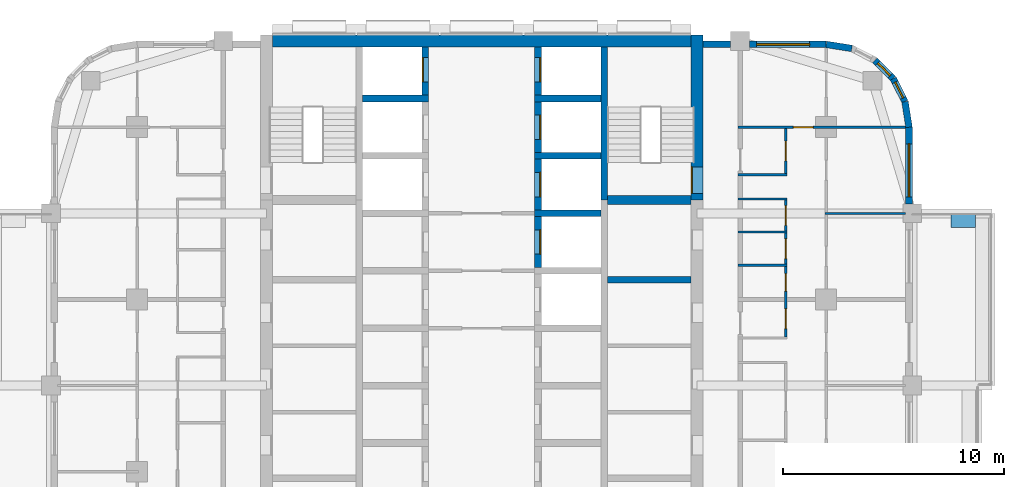
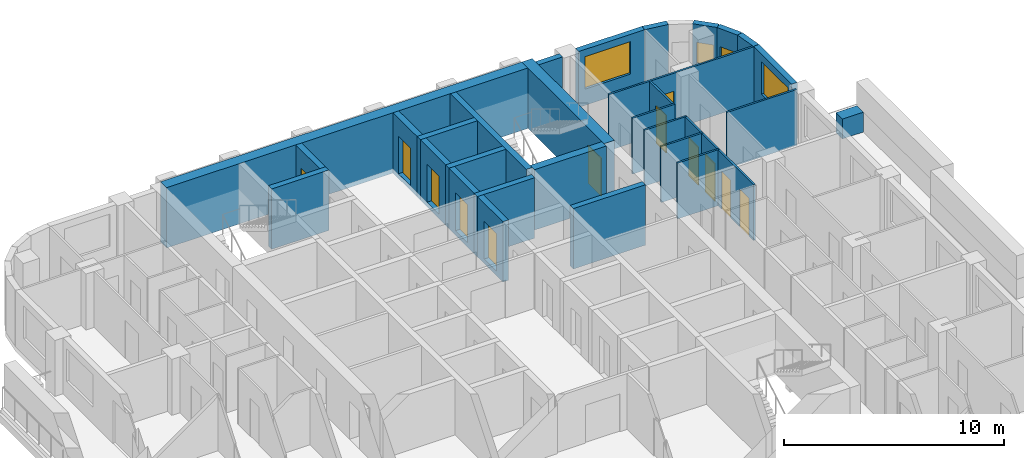
# One storey, part 9 of 14: 30 walls, 12 doors, 4 windows, 16 openings.
"""IFC4 building model written with IfcOpenShell, lengths in metres."""

from ifc_helpers import new_model, si_unit, direction, frame, frame_2d, origin, place, context, subcontext, project, spatial, rectangle, extrude, material, layer, layer_set, type_object, element, fill, save


model = new_model("IFC4")

# Units and contexts
model_context = context("Model", 3, precision=1e-05, world=origin(), true_north=direction((0.0, 1.0)))
body_context = subcontext(model_context, "Body", "Model", "MODEL_VIEW")
ifc_project = project(units=[si_unit("LENGTHUNIT", "METRE"), si_unit("AREAUNIT", "SQUARE_METRE"), si_unit("VOLUMEUNIT", "CUBIC_METRE"), si_unit("PLANEANGLEUNIT", "RADIAN"), si_unit("MASSUNIT", "GRAM", prefix="KILO")], contexts=[model_context])

# Site, building, storey
site_placement = place(None, origin())
site = spatial("IfcSite", under=ifc_project, at=site_placement, CompositionType="ELEMENT")
building_placement = place(site_placement, origin())
building = spatial("IfcBuilding", under=site, at=building_placement, Name="Ludao Terraces", CompositionType="ELEMENT")
storey_placement = place(building_placement, frame((0.0, 0.0, 140.699951171875)))
storey = spatial("IfcBuildingStorey", under=building, at=storey_placement, Name="L38", CompositionType="ELEMENT", Elevation=140.699951171875)

# Wall, opening, door
ifc_material_1 = material(Name="Concrete C60", Category="concrete")
ifc_layer_1 = layer(ifc_material_1, 0.550048828125)
ifc_layer_set_1 = layer_set([ifc_layer_1], Name="Core wall 550 C60")
wall_type_1 = type_object("IfcWallType", Name="Core wall 550 C60", PredefinedType="SOLIDWALL", material=ifc_layer_set_1)
wall_1_placement = place(storey_placement, frame((94.75, 77.300048828125, -0.25), z_axis=(0.0, 0.0, 1.0), x_axis=(0.0, 1.0, 0.0)))
wall_1 = element("IfcWall", 1, at=wall_1_placement, inside=storey, type_object=wall_type_1, Name="Core wall L38 outer-E-S2", PredefinedType="SOLIDWALL", context=body_context, shape_type="SweptSolid", body=[
    extrude(rectangle(XDim=7.474853515625, YDim=0.550048828125, at=frame_2d((3.7373046875, 0.0))), origin(), (0.0, 0.0, 1.0), 3.35009765625),
])
opening_1_placement = place(wall_1_placement, frame((0.300048828125, 0.0, 0.25)))
opening_1 = element("IfcOpeningElement", 2, at=opening_1_placement, cuts=wall_1, Name="Opening R13-082", PredefinedType="OPENING", context=body_context, shape_type="SweptSolid", body=[
    extrude(rectangle(XDim=1.199951171875, YDim=2.10009765625, at=frame_2d((0.60009765625, 1.050048828125))), frame((0.0, 0.28515625, 0.0), z_axis=(0.0, -1.0, 0.0), x_axis=(1.0, 0.0, 0.0)), (0.0, 0.0, 1.0), 0.570068359375),
])
ifc_material_2 = material(Name="Steel Q235", Category="steel")
door_type_1 = type_object("IfcDoorType", Name="INT Stair door 1200", OperationType="DOUBLE_DOOR_SINGLE_SWING", PredefinedType="DOOR", material=ifc_material_2)
door_1_placement = place(opening_1_placement, origin())
door_1 = element("IfcDoor", 3, at=door_1_placement, inside=storey, type_object=door_type_1, Name="DOOR 082", OperationType="DOUBLE_DOOR_SINGLE_SWING", OverallHeight=2.10009765625, OverallWidth=1.199951171875, PredefinedType="DOOR", context=body_context, shape_type="SweptSolid", body=[
    extrude(rectangle(XDim=1.199951171875, YDim=2.10009765625, at=frame_2d((0.60009765625, 1.050048828125))), frame((0.0, 0.26025390625, 0.0), z_axis=(0.0, -1.0, 0.0), x_axis=(1.0, 0.0, 0.0)), (0.0, 0.0, 1.0), 0.050048828125),
])
fill(opening_1, door_1)

# Walls
wall_2_placement = place(storey_placement, frame((75.52490234375, 84.5, -0.25), z_axis=(0.0, 0.0, 1.0), x_axis=(1.0, 0.0, 0.0)))
element("IfcWall", 4, at=wall_2_placement, inside=storey, type_object=wall_type_1, Name="Core wall L38 outer-N", PredefinedType="SOLIDWALL", context=body_context, shape_type="SweptSolid", body=[
    extrude(rectangle(XDim=18.9501953125, YDim=0.550048828125, at=frame_2d((9.47509765625, 0.0))), origin(), (0.0, 0.0, 1.0), 3.35009765625),
])
ifc_material_3 = material(Name="Concrete C40", Category="concrete")
ifc_layer_2 = layer(ifc_material_3, 0.60009765625)
ifc_layer_set_2 = layer_set([ifc_layer_2], Name="ENV Planter trough 600")
wall_type_2 = type_object("IfcWallType", Name="ENV Planter trough 600", PredefinedType="USERDEFINED", material=ifc_layer_set_2)
wall_3_placement = place(storey_placement, frame((107.35009765625, 76.35009765625, 0.0), z_axis=(0.0, 0.0, 1.0), x_axis=(-1.0, 0.0, 0.0)))
element("IfcWall", 5, at=wall_3_placement, inside=storey, type_object=wall_type_2, Name="PL-L38-E3-SB", ObjectType="PLANTER", PredefinedType="USERDEFINED", context=body_context, shape_type="SweptSolid", body=[
    extrude(rectangle(XDim=1.10009765625, YDim=0.60009765625, at=frame_2d((0.550048828125, 0.0))), origin(), (0.0, 0.0, 1.0), 1.10009765625),
])

# Wall, opening, window
ifc_material_4 = material(Name="Granite cladding", Category="masonry")
ifc_layer_3 = layer(ifc_material_4, 0.0400390625, Category="stone")
ifc_material_5 = material(Name="Mineral wool")
ifc_layer_4 = layer(ifc_material_5, 0.06005859375)
ifc_layer_5 = layer(ifc_material_3, 0.199951171875, Category="concrete")
ifc_layer_set_3 = layer_set([ifc_layer_3, ifc_layer_4, ifc_layer_5], Name="ENV Stone-clad wall 300")
wall_type_3 = type_object("IfcWallType", Name="ENV Stone-clad wall 300", PredefinedType="SOLIDWALL", material=ifc_layer_set_3)
wall_4_placement = place(storey_placement, frame((104.35009765625, 77.125, 0.0), z_axis=(0.0, 0.0, 1.0), x_axis=(0.0, 1.0, 0.0)))
wall_4 = element("IfcWall", 6, at=wall_4_placement, inside=storey, type_object=wall_type_3, Name="EW-L38-E5", PredefinedType="SOLIDWALL", context=body_context, shape_type="SweptSolid", body=[
    extrude(rectangle(XDim=3.47509765625, YDim=0.300048828125, at=frame_2d((1.737548828125, 0.0))), origin(), (0.0, 0.0, 1.0), 3.10009765625),
])
opening_2_placement = place(wall_4_placement, frame((0.324951171875, 0.0, 0.89990234375)))
opening_2 = element("IfcOpeningElement", 7, at=opening_2_placement, cuts=wall_4, Name="Opening W1", PredefinedType="OPENING", context=body_context, shape_type="SweptSolid", body=[
    extrude(rectangle(XDim=2.39990234375, YDim=1.800048828125, at=frame_2d((1.199951171875, 0.89990234375))), frame((0.0, 0.16015625, 0.0), z_axis=(0.0, -1.0, 0.0), x_axis=(1.0, 0.0, 0.0)), (0.0, 0.0, 1.0), 0.320068359375),
])
ifc_material_6 = material(Name="Clear glass in aluminium frame", Category="aluminium")
ifc_layer_6 = layer(ifc_material_6, 0.06005859375)
ifc_layer_set_4 = layer_set([ifc_layer_6], Name="ENV Window W1 2400x1800")
window_type_1 = type_object("IfcWindowType", Name="ENV Window W1 2400x1800", PartitioningType="DOUBLE_PANEL_VERTICAL", PredefinedType="WINDOW", material=ifc_layer_set_4)
window_1_placement = place(opening_2_placement, origin())
window_1 = element("IfcWindow", 8, at=window_1_placement, inside=storey, type_object=window_type_1, Name="W-L38-E5-1", OverallHeight=1.800048828125, OverallWidth=2.39990234375, PartitioningType="DOUBLE_PANEL_VERTICAL", PredefinedType="WINDOW", context=body_context, shape_type="SweptSolid", body=[
    extrude(rectangle(XDim=2.39990234375, YDim=1.800048828125, at=frame_2d((1.199951171875, 0.89990234375))), frame((0.0, 0.030029296875, 0.0), z_axis=(0.0, -1.0, 0.0), x_axis=(1.0, 0.0, 0.0)), (0.0, 0.0, 1.0), 0.06005859375),
])
fill(opening_2, window_1)

# Wall
wall_5_placement = place(storey_placement, frame((95.02490234375, 84.35009765625, 0.0), z_axis=(0.0, 0.0, 1.0), x_axis=(1.0, 0.0, 0.0)))
element("IfcWall", 9, at=wall_5_placement, inside=storey, type_object=wall_type_3, Name="EW-L38-N3", PredefinedType="SOLIDWALL", context=body_context, shape_type="SweptSolid", body=[
    extrude(rectangle(XDim=1.25, YDim=0.300048828125, at=frame_2d((0.625, 0.0))), origin(), (0.0, 0.0, 1.0), 3.10009765625),
])

# Wall, opening, window
wall_6_placement = place(storey_placement, frame((97.125, 84.35009765625, 0.0), z_axis=(0.0, 0.0, 1.0), x_axis=(1.0, 0.0, 0.0)))
wall_6 = element("IfcWall", 10, at=wall_6_placement, inside=storey, type_object=wall_type_3, Name="EW-L38-N4", PredefinedType="SOLIDWALL", context=body_context, shape_type="SweptSolid", body=[
    extrude(rectangle(XDim=3.47509765625, YDim=0.300048828125, at=frame_2d((1.737548828125, 0.0))), origin(), (0.0, 0.0, 1.0), 3.10009765625),
])
opening_3_placement = place(wall_6_placement, frame((0.324951171875, 0.0, 0.89990234375)))
opening_3 = element("IfcOpeningElement", 11, at=opening_3_placement, cuts=wall_6, Name="Opening W1", PredefinedType="OPENING", context=body_context, shape_type="SweptSolid", body=[
    extrude(rectangle(XDim=2.39990234375, YDim=1.800048828125, at=frame_2d((1.199951171875, 0.89990234375))), frame((0.0, 0.16015625, 0.0), z_axis=(0.0, -1.0, 0.0), x_axis=(1.0, 0.0, 0.0)), (0.0, 0.0, 1.0), 0.320068359375),
])
window_2_placement = place(opening_3_placement, origin())
window_2 = element("IfcWindow", 12, at=window_2_placement, inside=storey, type_object=window_type_1, Name="W-L38-N4-1", OverallHeight=1.800048828125, OverallWidth=2.39990234375, PartitioningType="DOUBLE_PANEL_VERTICAL", PredefinedType="WINDOW", context=body_context, shape_type="SweptSolid", body=[
    extrude(rectangle(XDim=2.39990234375, YDim=1.800048828125, at=frame_2d((1.199951171875, 0.89990234375))), frame((0.0, 0.030029296875, 0.0), z_axis=(0.0, -1.0, 0.0), x_axis=(1.0, 0.0, 0.0)), (0.0, 0.0, 1.0), 0.06005859375),
])
fill(opening_3, window_2)

# Wall
wall_7_placement = place(storey_placement, frame((104.35009765625, 80.60009765625, 0.0), z_axis=(0.0, 0.0, 1.0), x_axis=(-0.156496880861, 0.987678452879, 0.0)))
element("IfcWall", 13, at=wall_7_placement, inside=storey, type_object=wall_type_3, Name="EW-L38-NE1", PredefinedType="SOLIDWALL", context=body_context, shape_type="SweptSolid", body=[
    extrude(rectangle(XDim=1.173095703125, YDim=0.300048828125, at=frame_2d((0.58642578125, 0.0))), origin(), (0.0, 0.0, 1.0), 3.10009765625),
])

# Wall, opening, window
wall_8_placement = place(storey_placement, frame((104.16650390625, 81.7587890625, 0.0), z_axis=(0.0, 0.0, 1.0), x_axis=(-0.454025524128, 0.890988677504, 0.0)))
wall_8 = element("IfcWall", 14, at=wall_8_placement, inside=storey, type_object=wall_type_3, Name="EW-L38-NE2", PredefinedType="SOLIDWALL", context=body_context, shape_type="SweptSolid", body=[
    extrude(rectangle(XDim=1.17333984375, YDim=0.300048828125, at=frame_2d((0.586669921875, 0.0))), origin(), (0.0, 0.0, 1.0), 3.10009765625),
])
opening_4_placement = place(wall_8_placement, frame((0.1865234375, 0.0, 0.89990234375)))
opening_4 = element("IfcOpeningElement", 15, at=opening_4_placement, cuts=wall_8, Name="Opening W3", PredefinedType="OPENING", context=body_context, shape_type="SweptSolid", body=[
    extrude(rectangle(XDim=0.800048828125, YDim=1.199951171875, at=frame_2d((0.39990234375, 0.60009765625))), frame((0.0, 0.16015625, 0.0), z_axis=(0.0, -1.0, 0.0), x_axis=(1.0, 0.0, 0.0)), (0.0, 0.0, 1.0), 0.320068359375),
])
ifc_layer_7 = layer(ifc_material_6, 0.06005859375)
ifc_layer_set_5 = layer_set([ifc_layer_7], Name="ENV Window W3 800x1200")
window_type_2 = type_object("IfcWindowType", Name="ENV Window W3 800x1200", PartitioningType="SINGLE_PANEL", PredefinedType="WINDOW", material=ifc_layer_set_5)
window_3_placement = place(opening_4_placement, origin())
window_3 = element("IfcWindow", 16, at=window_3_placement, inside=storey, type_object=window_type_2, Name="W-L38-NE2", OverallHeight=1.199951171875, OverallWidth=0.800048828125, PartitioningType="SINGLE_PANEL", PredefinedType="WINDOW", context=body_context, shape_type="SweptSolid", body=[
    extrude(rectangle(XDim=0.800048828125, YDim=1.199951171875, at=frame_2d((0.39990234375, 0.60009765625))), frame((0.0, 0.030029296875, 0.0), z_axis=(0.0, -1.0, 0.0), x_axis=(1.0, 0.0, 0.0)), (0.0, 0.0, 1.0), 0.06005859375),
])
fill(opening_4, window_3)

wall_9_placement = place(storey_placement, frame((103.6337890625, 82.80419921875, 0.0), z_axis=(0.0, 0.0, 1.0), x_axis=(-0.707106781187, 0.707106781187, 0.0)))
wall_9 = element("IfcWall", 17, at=wall_9_placement, inside=storey, type_object=wall_type_3, Name="EW-L38-NE3", PredefinedType="SOLIDWALL", context=body_context, shape_type="SweptSolid", body=[
    extrude(rectangle(XDim=1.173095703125, YDim=0.300048828125, at=frame_2d((0.58642578125, 0.0))), origin(), (0.0, 0.0, 1.0), 3.10009765625),
])
opening_5_placement = place(wall_9_placement, frame((0.1865234375, 0.0, 0.89990234375)))
opening_5 = element("IfcOpeningElement", 18, at=opening_5_placement, cuts=wall_9, Name="Opening W3", PredefinedType="OPENING", context=body_context, shape_type="SweptSolid", body=[
    extrude(rectangle(XDim=0.800048828125, YDim=1.199951171875, at=frame_2d((0.39990234375, 0.60009765625))), frame((0.0, 0.16015625, 0.0), z_axis=(0.0, -1.0, 0.0), x_axis=(1.0, 0.0, 0.0)), (0.0, 0.0, 1.0), 0.320068359375),
])
window_4_placement = place(opening_5_placement, origin())
window_4 = element("IfcWindow", 19, at=window_4_placement, inside=storey, type_object=window_type_2, Name="W-L38-NE3", OverallHeight=1.199951171875, OverallWidth=0.800048828125, PartitioningType="SINGLE_PANEL", PredefinedType="WINDOW", context=body_context, shape_type="SweptSolid", body=[
    extrude(rectangle(XDim=0.800048828125, YDim=1.199951171875, at=frame_2d((0.39990234375, 0.60009765625))), frame((0.0, 0.030029296875, 0.0), z_axis=(0.0, -1.0, 0.0), x_axis=(1.0, 0.0, 0.0)), (0.0, 0.0, 1.0), 0.06005859375),
])
fill(opening_5, window_4)

# Walls
wall_10_placement = place(storey_placement, frame((101.7587890625, 84.16650390625, 0.0), z_axis=(0.0, 0.0, 1.0), x_axis=(-0.987678452879, 0.156496880861, 0.0)))
element("IfcWall", 20, at=wall_10_placement, inside=storey, type_object=wall_type_3, Name="EW-L38-NE5", PredefinedType="SOLIDWALL", context=body_context, shape_type="SweptSolid", body=[
    extrude(rectangle(XDim=1.173095703125, YDim=0.300048828125, at=frame_2d((0.58642578125, 0.0))), origin(), (0.0, 0.0, 1.0), 3.10009765625),
])
ifc_material_7 = material(Name="Gypsum plasterboard", Category="gypsum")
ifc_layer_8 = layer(ifc_material_7, 0.012451171875, Category="gypsum")
ifc_layer_9 = layer(ifc_material_5, 0.06005859375, Name="insulation")
ifc_layer_10 = layer(ifc_material_2, 0.014892578125, Name="stud")
ifc_layer_11 = layer(ifc_material_7, 0.012451171875, Category="gypsum")
ifc_layer_set_6 = layer_set([ifc_layer_8, ifc_layer_9, ifc_layer_10, ifc_layer_11], Name="INT Partition 100")
wall_type_4 = type_object("IfcWallType", Name="INT Partition 100", PredefinedType="PARTITIONING", material=ifc_layer_set_6)
for number, where, z_axis, x_axis, name in (
    (21, (96.60009765625, 74.35009765625, 0.0), (0.0, 0.0, 1.0), (1.0, 0.0, 0.0), "PW-L38-PW040"),
    (22, (96.60009765625, 75.85009765625, 0.0), (0.0, 0.0, 1.0), (1.0, 0.0, 0.0), "PW-L38-PW042"),
):
    element("IfcWall", number, at=place(storey_placement, frame(where, z_axis=z_axis, x_axis=x_axis)), inside=storey, type_object=wall_type_4, Name=name, PredefinedType="PARTITIONING", context=body_context, shape_type="SweptSolid", body=[
        extrude(rectangle(XDim=2.219970703125, YDim=0.10009765625, at=frame_2d((1.10986328125, 0.0))), origin(), (0.0, 0.0, 1.0), 3.10009765625),
    ])
wall_11_placement = place(storey_placement, frame((100.550048828125, 76.699951171875, 0.0), z_axis=(0.0, 0.0, 1.0), x_axis=(1.0, 0.0, 0.0)))
element("IfcWall", 23, at=wall_11_placement, inside=storey, type_object=wall_type_4, Name="PW-L38-PW044", PredefinedType="PARTITIONING", context=body_context, shape_type="SweptSolid", body=[
    extrude(rectangle(XDim=3.650146484375, YDim=0.10009765625, at=frame_2d((1.8251953125, 0.0))), origin(), (0.0, 0.0, 1.0), 3.10009765625),
])
for number, where, z_axis, x_axis, name in (
    (24, (96.60009765625, 77.35009765625, 0.0), (0.0, 0.0, 1.0), (1.0, 0.0, 0.0), "PW-L38-PW046"),
    (25, (96.60009765625, 78.449951171875, 0.0), (0.0, 0.0, 1.0), (1.0, 0.0, 0.0), "PW-L38-PW048"),
):
    element("IfcWall", number, at=place(storey_placement, frame(where, z_axis=z_axis, x_axis=x_axis)), inside=storey, type_object=wall_type_4, Name=name, PredefinedType="PARTITIONING", context=body_context, shape_type="SweptSolid", body=[
        extrude(rectangle(XDim=2.219970703125, YDim=0.10009765625, at=frame_2d((1.10986328125, 0.0))), origin(), (0.0, 0.0, 1.0), 3.10009765625),
    ])

# Wall, opening, door
wall_12_placement = place(storey_placement, frame((96.60009765625, 80.60009765625, 0.0), z_axis=(0.0, 0.0, 1.0), x_axis=(1.0, 0.0, 0.0)))
wall_12 = element("IfcWall", 26, at=wall_12_placement, inside=storey, type_object=wall_type_4, Name="PW-L38-PW050", PredefinedType="PARTITIONING", context=body_context, shape_type="SweptSolid", body=[
    extrude(rectangle(XDim=7.60009765625, YDim=0.10009765625, at=frame_2d((3.800048828125, 0.0))), origin(), (0.0, 0.0, 1.0), 3.10009765625),
])
opening_6_placement = place(wall_12_placement, frame((2.510009765625, 0.0, 0.0)))
opening_6 = element("IfcOpeningElement", 27, at=opening_6_placement, cuts=wall_12, Name="Opening R13-091", PredefinedType="OPENING", context=body_context, shape_type="SweptSolid", body=[
    extrude(rectangle(XDim=0.89990234375, YDim=2.10009765625, at=frame_2d((0.449951171875, 1.050048828125))), frame((0.0, 0.06005859375, 0.0), z_axis=(0.0, -1.0, 0.0), x_axis=(1.0, 0.0, 0.0)), (0.0, 0.0, 1.0), 0.1201171875),
])
ifc_material_8 = material(Name="Timber door leaf", Category="wood")
door_type_2 = type_object("IfcDoorType", Name="INT Room door 900", OperationType="SINGLE_SWING_LEFT", PredefinedType="DOOR", material=ifc_material_8)
door_2_placement = place(opening_6_placement, origin())
door_2 = element("IfcDoor", 28, at=door_2_placement, inside=storey, type_object=door_type_2, Name="DOOR 091", OperationType="SINGLE_SWING_RIGHT", OverallHeight=2.10009765625, OverallWidth=0.89990234375, PredefinedType="DOOR", context=body_context, shape_type="SweptSolid", body=[
    extrude(rectangle(XDim=0.89990234375, YDim=2.10009765625, at=frame_2d((0.449951171875, 1.050048828125))), frame((0.0, 0.02490234375, 0.0), z_axis=(0.0, -1.0, 0.0), x_axis=(1.0, 0.0, 0.0)), (0.0, 0.0, 1.0), 0.050048828125),
])
fill(opening_6, door_2)

# Wall, openings, doors
wall_13_placement = place(storey_placement, frame((98.77001953125, 71.10009765625, 0.0), z_axis=(0.0, 0.0, 1.0), x_axis=(0.0, 1.0, 0.0)))
wall_13 = element("IfcWall", 29, at=wall_13_placement, inside=storey, type_object=wall_type_4, Name="PW-L38-PW066", PredefinedType="PARTITIONING", context=body_context, shape_type="SweptSolid", body=[
    extrude(rectangle(XDim=6.199951171875, YDim=0.10009765625, at=frame_2d((3.10009765625, 0.0))), origin(), (0.0, 0.0, 1.0), 3.10009765625),
])
opening_7_placement = place(wall_13_placement, frame((0.375, 0.0, 0.0)))
opening_7 = element("IfcOpeningElement", 30, at=opening_7_placement, cuts=wall_13, Name="Opening R13-059", PredefinedType="OPENING", context=body_context, shape_type="SweptSolid", body=[
    extrude(rectangle(XDim=0.89990234375, YDim=2.10009765625, at=frame_2d((0.449951171875, 1.050048828125))), frame((0.0, 0.06005859375, 0.0), z_axis=(0.0, -1.0, 0.0), x_axis=(1.0, 0.0, 0.0)), (0.0, 0.0, 1.0), 0.1201171875),
])
opening_8_placement = place(wall_13_placement, frame((2.074951171875, 0.0, 0.0)))
opening_8 = element("IfcOpeningElement", 31, at=opening_8_placement, cuts=wall_13, Name="Opening R13-066", PredefinedType="OPENING", context=body_context, shape_type="SweptSolid", body=[
    extrude(rectangle(XDim=0.800048828125, YDim=2.10009765625, at=frame_2d((0.39990234375, 1.050048828125))), frame((0.0, 0.06005859375, 0.0), z_axis=(0.0, -1.0, 0.0), x_axis=(1.0, 0.0, 0.0)), (0.0, 0.0, 1.0), 0.1201171875),
])
opening_9_placement = place(wall_13_placement, frame((3.550048828125, 0.0, 0.0)))
opening_9 = element("IfcOpeningElement", 32, at=opening_9_placement, cuts=wall_13, Name="Opening R13-070", PredefinedType="OPENING", context=body_context, shape_type="SweptSolid", body=[
    extrude(rectangle(XDim=0.89990234375, YDim=2.10009765625, at=frame_2d((0.449951171875, 1.050048828125))), frame((0.0, 0.06005859375, 0.0), z_axis=(0.0, -1.0, 0.0), x_axis=(1.0, 0.0, 0.0)), (0.0, 0.0, 1.0), 0.1201171875),
])
opening_10_placement = place(wall_13_placement, frame((5.050048828125, 0.0, 0.0)))
opening_10 = element("IfcOpeningElement", 33, at=opening_10_placement, cuts=wall_13, Name="Opening R13-076", PredefinedType="OPENING", context=body_context, shape_type="SweptSolid", body=[
    extrude(rectangle(XDim=0.89990234375, YDim=2.10009765625, at=frame_2d((0.449951171875, 1.050048828125))), frame((0.0, 0.06005859375, 0.0), z_axis=(0.0, -1.0, 0.0), x_axis=(1.0, 0.0, 0.0)), (0.0, 0.0, 1.0), 0.1201171875),
])
door_type_3 = type_object("IfcDoorType", Name="INT Bathroom door 900", OperationType="SINGLE_SWING_LEFT", PredefinedType="DOOR", material=ifc_material_8)
door_3_placement = place(opening_7_placement, origin())
door_3 = element("IfcDoor", 34, at=door_3_placement, inside=storey, type_object=door_type_3, Name="DOOR 059", OperationType="SINGLE_SWING_RIGHT", OverallHeight=2.10009765625, OverallWidth=0.89990234375, PredefinedType="DOOR", context=body_context, shape_type="SweptSolid", body=[
    extrude(rectangle(XDim=0.89990234375, YDim=2.10009765625, at=frame_2d((0.449951171875, 1.050048828125))), frame((0.0, 0.02490234375, 0.0), z_axis=(0.0, -1.0, 0.0), x_axis=(1.0, 0.0, 0.0)), (0.0, 0.0, 1.0), 0.050048828125),
])
fill(opening_7, door_3)
door_4_placement = place(opening_9_placement, origin())
door_4 = element("IfcDoor", 35, at=door_4_placement, inside=storey, type_object=door_type_3, Name="DOOR 070", OperationType="SINGLE_SWING_LEFT", OverallHeight=2.10009765625, OverallWidth=0.89990234375, PredefinedType="DOOR", context=body_context, shape_type="SweptSolid", body=[
    extrude(rectangle(XDim=0.89990234375, YDim=2.10009765625, at=frame_2d((0.449951171875, 1.050048828125))), frame((0.0, 0.02490234375, 0.0), z_axis=(0.0, -1.0, 0.0), x_axis=(1.0, 0.0, 0.0)), (0.0, 0.0, 1.0), 0.050048828125),
])
fill(opening_9, door_4)
door_5_placement = place(opening_10_placement, origin())
door_5 = element("IfcDoor", 36, at=door_5_placement, inside=storey, type_object=door_type_3, Name="DOOR 076", OperationType="SINGLE_SWING_RIGHT", OverallHeight=2.10009765625, OverallWidth=0.89990234375, PredefinedType="DOOR", context=body_context, shape_type="SweptSolid", body=[
    extrude(rectangle(XDim=0.89990234375, YDim=2.10009765625, at=frame_2d((0.449951171875, 1.050048828125))), frame((0.0, 0.02490234375, 0.0), z_axis=(0.0, -1.0, 0.0), x_axis=(1.0, 0.0, 0.0)), (0.0, 0.0, 1.0), 0.050048828125),
])
fill(opening_10, door_5)
door_type_4 = type_object("IfcDoorType", Name="INT Store door 800", OperationType="SINGLE_SWING_LEFT", PredefinedType="DOOR", material=ifc_material_8)
door_6_placement = place(opening_8_placement, origin())
door_6 = element("IfcDoor", 37, at=door_6_placement, inside=storey, type_object=door_type_4, Name="DOOR 066", OperationType="SINGLE_SWING_LEFT", OverallHeight=2.10009765625, OverallWidth=0.800048828125, PredefinedType="DOOR", context=body_context, shape_type="SweptSolid", body=[
    extrude(rectangle(XDim=0.800048828125, YDim=2.10009765625, at=frame_2d((0.39990234375, 1.050048828125))), frame((0.0, 0.02490234375, 0.0), z_axis=(0.0, -1.0, 0.0), x_axis=(1.0, 0.0, 0.0)), (0.0, 0.0, 1.0), 0.050048828125),
])
fill(opening_8, door_6)

# Wall, opening, door
wall_14_placement = place(storey_placement, frame((98.77001953125, 78.5, 0.0), z_axis=(0.0, 0.0, 1.0), x_axis=(0.0, 1.0, 0.0)))
wall_14 = element("IfcWall", 38, at=wall_14_placement, inside=storey, type_object=wall_type_4, Name="PW-L38-PW067", PredefinedType="PARTITIONING", context=body_context, shape_type="SweptSolid", body=[
    extrude(rectangle(XDim=2.050048828125, YDim=0.10009765625, at=frame_2d((1.02490234375, 0.0))), origin(), (0.0, 0.0, 1.0), 3.10009765625),
])
opening_11_placement = place(wall_14_placement, frame((0.5751953125, 0.0, 0.0)))
opening_11 = element("IfcOpeningElement", 39, at=opening_11_placement, cuts=wall_14, Name="Opening R13-087", PredefinedType="OPENING", context=body_context, shape_type="SweptSolid", body=[
    extrude(rectangle(XDim=0.89990234375, YDim=2.10009765625, at=frame_2d((0.449951171875, 1.050048828125))), frame((0.0, 0.06005859375, 0.0), z_axis=(0.0, -1.0, 0.0), x_axis=(1.0, 0.0, 0.0)), (0.0, 0.0, 1.0), 0.1201171875),
])
door_7_placement = place(opening_11_placement, origin())
door_7 = element("IfcDoor", 40, at=door_7_placement, inside=storey, type_object=door_type_2, Name="DOOR 087", OperationType="SINGLE_SWING_RIGHT", OverallHeight=2.10009765625, OverallWidth=0.89990234375, PredefinedType="DOOR", context=body_context, shape_type="SweptSolid", body=[
    extrude(rectangle(XDim=0.89990234375, YDim=2.10009765625, at=frame_2d((0.449951171875, 1.050048828125))), frame((0.0, 0.02490234375, 0.0), z_axis=(0.0, -1.0, 0.0), x_axis=(1.0, 0.0, 0.0)), (0.0, 0.0, 1.0), 0.050048828125),
])
fill(opening_11, door_7)

# Walls
ifc_material_9 = material(Name="Concrete C55", Category="concrete")
ifc_layer_12 = layer(ifc_material_9, 0.300048828125)
ifc_layer_set_7 = layer_set([ifc_layer_12], Name="Shaft wall 300 C55")
wall_type_5 = type_object("IfcWallType", Name="Shaft wall 300 C55", PredefinedType="SOLIDWALL", material=ifc_layer_set_7)
wall_15_placement = place(storey_placement, frame((90.550048828125, 77.300048828125, -0.25), z_axis=(0.0, 0.0, 1.0), x_axis=(0.0, 1.0, 0.0)))
element("IfcWall", 41, at=wall_15_placement, inside=storey, type_object=wall_type_5, Name="Core wall L38 back-E-S2", PredefinedType="SOLIDWALL", context=body_context, shape_type="SweptSolid", body=[
    extrude(rectangle(XDim=6.925048828125, YDim=0.300048828125, at=frame_2d((3.46240234375, 0.0))), origin(), (0.0, 0.0, 1.0), 3.35009765625),
])
wall_16_placement = place(storey_placement, frame((79.60009765625, 81.89990234375, -0.25), z_axis=(0.0, 0.0, 1.0), x_axis=(1.0, 0.0, 0.0)))
element("IfcWall", 42, at=wall_16_placement, inside=storey, type_object=wall_type_5, Name="Core wall L38 div-W9", PredefinedType="SOLIDWALL", context=body_context, shape_type="SweptSolid", body=[
    extrude(rectangle(XDim=3.0, YDim=0.300048828125, at=frame_2d((1.5, 0.0))), origin(), (0.0, 0.0, 1.0), 3.35009765625),
])

# Wall, opening, door
wall_17_placement = place(storey_placement, frame((82.449951171875, 82.050048828125, -0.25), z_axis=(0.0, 0.0, 1.0), x_axis=(0.0, 1.0, 0.0)))
wall_17 = element("IfcWall", 43, at=wall_17_placement, inside=storey, type_object=wall_type_5, Name="Core wall L38 front-W9", PredefinedType="SOLIDWALL", context=body_context, shape_type="SweptSolid", body=[
    extrude(rectangle(XDim=2.175048828125, YDim=0.300048828125, at=frame_2d((1.08740234375, 0.0))), origin(), (0.0, 0.0, 1.0), 3.35009765625),
])
opening_12_placement = place(wall_17_placement, frame((0.60009765625, 0.0, 0.25)))
opening_12 = element("IfcOpeningElement", 44, at=opening_12_placement, cuts=wall_17, Name="Opening LD-LB6", PredefinedType="OPENING", context=body_context, shape_type="SweptSolid", body=[
    extrude(rectangle(XDim=1.10009765625, YDim=2.10009765625, at=frame_2d((0.550048828125, 1.050048828125))), frame((0.0, 0.16015625, 0.0), z_axis=(0.0, -1.0, 0.0), x_axis=(1.0, 0.0, 0.0)), (0.0, 0.0, 1.0), 0.320068359375),
])
ifc_material_10 = material(Name="Stainless steel 304", Category="steel")
door_type_5 = type_object("IfcDoorType", Name="INT Lift landing door 1100", OperationType="SLIDING_TO_LEFT", PredefinedType="DOOR", material=ifc_material_10)
door_8_placement = place(opening_12_placement, origin())
door_8 = element("IfcDoor", 45, at=door_8_placement, inside=storey, type_object=door_type_5, Name="LANDING DOOR LB6 L38", OperationType="SLIDING_TO_RIGHT", OverallHeight=2.10009765625, OverallWidth=1.10009765625, PredefinedType="DOOR", context=body_context, shape_type="SweptSolid", body=[
    extrude(rectangle(XDim=1.10009765625, YDim=2.10009765625, at=frame_2d((0.550048828125, 1.050048828125))), frame((0.0, 0.13525390625, 0.0), z_axis=(0.0, -1.0, 0.0), x_axis=(1.0, 0.0, 0.0)), (0.0, 0.0, 1.0), 0.050048828125),
])
fill(opening_12, door_8)

wall_18_placement = place(storey_placement, frame((87.550048828125, 74.25, -0.25), z_axis=(0.0, 0.0, 1.0), x_axis=(0.0, 1.0, 0.0)))
wall_18 = element("IfcWall", 46, at=wall_18_placement, inside=storey, type_object=wall_type_5, Name="Core wall L38 front-E6", PredefinedType="SOLIDWALL", context=body_context, shape_type="SweptSolid", body=[
    extrude(rectangle(XDim=2.300048828125, YDim=0.300048828125, at=frame_2d((1.14990234375, 0.0))), origin(), (0.0, 0.0, 1.0), 3.35009765625),
])
opening_13_placement = place(wall_18_placement, frame((0.60009765625, 0.0, 0.25)))
opening_13 = element("IfcOpeningElement", 47, at=opening_13_placement, cuts=wall_18, Name="Opening LD-LB2", PredefinedType="OPENING", context=body_context, shape_type="SweptSolid", body=[
    extrude(rectangle(XDim=1.10009765625, YDim=2.10009765625, at=frame_2d((0.550048828125, 1.050048828125))), frame((0.0, 0.16015625, 0.0), z_axis=(0.0, -1.0, 0.0), x_axis=(1.0, 0.0, 0.0)), (0.0, 0.0, 1.0), 0.320068359375),
])
door_9_placement = place(opening_13_placement, origin())
door_9 = element("IfcDoor", 48, at=door_9_placement, inside=storey, type_object=door_type_5, Name="LANDING DOOR LB2 L38", OperationType="SLIDING_TO_LEFT", OverallHeight=2.10009765625, OverallWidth=1.10009765625, PredefinedType="DOOR", context=body_context, shape_type="SweptSolid", body=[
    extrude(rectangle(XDim=1.10009765625, YDim=2.10009765625, at=frame_2d((0.550048828125, 1.050048828125))), frame((0.0, -0.0849609375, 0.0), z_axis=(0.0, -1.0, 0.0), x_axis=(1.0, 0.0, 0.0)), (0.0, 0.0, 1.0), 0.050048828125),
])
fill(opening_13, door_9)

# Wall
wall_19_placement = place(storey_placement, frame((87.39990234375, 76.699951171875, -0.25), z_axis=(0.0, 0.0, 1.0), x_axis=(1.0, 0.0, 0.0)))
element("IfcWall", 49, at=wall_19_placement, inside=storey, type_object=wall_type_5, Name="Core wall L38 div-E7", PredefinedType="SOLIDWALL", context=body_context, shape_type="SweptSolid", body=[
    extrude(rectangle(XDim=3.0, YDim=0.300048828125, at=frame_2d((1.5, 0.0))), origin(), (0.0, 0.0, 1.0), 3.35009765625),
])

# Wall, opening, door
wall_20_placement = place(storey_placement, frame((87.550048828125, 76.85009765625, -0.25), z_axis=(0.0, 0.0, 1.0), x_axis=(0.0, 1.0, 0.0)))
wall_20 = element("IfcWall", 50, at=wall_20_placement, inside=storey, type_object=wall_type_5, Name="Core wall L38 front-E7", PredefinedType="SOLIDWALL", context=body_context, shape_type="SweptSolid", body=[
    extrude(rectangle(XDim=2.2998046875, YDim=0.300048828125, at=frame_2d((1.14990234375, 0.0))), origin(), (0.0, 0.0, 1.0), 3.35009765625),
])
opening_14_placement = place(wall_20_placement, frame((0.60009765625, 0.0, 0.25)))
opening_14 = element("IfcOpeningElement", 51, at=opening_14_placement, cuts=wall_20, Name="Opening LD-LB3", PredefinedType="OPENING", context=body_context, shape_type="SweptSolid", body=[
    extrude(rectangle(XDim=1.10009765625, YDim=2.10009765625, at=frame_2d((0.550048828125, 1.050048828125))), frame((0.0, 0.16015625, 0.0), z_axis=(0.0, -1.0, 0.0), x_axis=(1.0, 0.0, 0.0)), (0.0, 0.0, 1.0), 0.320068359375),
])
door_10_placement = place(opening_14_placement, origin())
door_10 = element("IfcDoor", 52, at=door_10_placement, inside=storey, type_object=door_type_5, Name="LANDING DOOR LB3 L38", OperationType="SLIDING_TO_LEFT", OverallHeight=2.10009765625, OverallWidth=1.10009765625, PredefinedType="DOOR", context=body_context, shape_type="SweptSolid", body=[
    extrude(rectangle(XDim=1.10009765625, YDim=2.10009765625, at=frame_2d((0.550048828125, 1.050048828125))), frame((0.0, -0.0849609375, 0.0), z_axis=(0.0, -1.0, 0.0), x_axis=(1.0, 0.0, 0.0)), (0.0, 0.0, 1.0), 0.050048828125),
])
fill(opening_14, door_10)

# Wall
wall_21_placement = place(storey_placement, frame((87.39990234375, 79.300048828125, -0.25), z_axis=(0.0, 0.0, 1.0), x_axis=(1.0, 0.0, 0.0)))
element("IfcWall", 53, at=wall_21_placement, inside=storey, type_object=wall_type_5, Name="Core wall L38 div-E8", PredefinedType="SOLIDWALL", context=body_context, shape_type="SweptSolid", body=[
    extrude(rectangle(XDim=3.0, YDim=0.300048828125, at=frame_2d((1.5, 0.0))), origin(), (0.0, 0.0, 1.0), 3.35009765625),
])

# Wall, opening, door
wall_22_placement = place(storey_placement, frame((87.550048828125, 79.449951171875, -0.25), z_axis=(0.0, 0.0, 1.0), x_axis=(0.0, 1.0, 0.0)))
wall_22 = element("IfcWall", 54, at=wall_22_placement, inside=storey, type_object=wall_type_5, Name="Core wall L38 front-E8", PredefinedType="SOLIDWALL", context=body_context, shape_type="SweptSolid", body=[
    extrude(rectangle(XDim=2.300048828125, YDim=0.300048828125, at=frame_2d((1.14990234375, 0.0))), origin(), (0.0, 0.0, 1.0), 3.35009765625),
])
opening_15_placement = place(wall_22_placement, frame((0.60009765625, 0.0, 0.25)))
opening_15 = element("IfcOpeningElement", 55, at=opening_15_placement, cuts=wall_22, Name="Opening LD-LB4", PredefinedType="OPENING", context=body_context, shape_type="SweptSolid", body=[
    extrude(rectangle(XDim=1.10009765625, YDim=2.10009765625, at=frame_2d((0.550048828125, 1.050048828125))), frame((0.0, 0.16015625, 0.0), z_axis=(0.0, -1.0, 0.0), x_axis=(1.0, 0.0, 0.0)), (0.0, 0.0, 1.0), 0.320068359375),
])
door_11_placement = place(opening_15_placement, origin())
door_11 = element("IfcDoor", 56, at=door_11_placement, inside=storey, type_object=door_type_5, Name="LANDING DOOR LB4 L38", OperationType="SLIDING_TO_RIGHT", OverallHeight=2.10009765625, OverallWidth=1.10009765625, PredefinedType="DOOR", context=body_context, shape_type="SweptSolid", body=[
    extrude(rectangle(XDim=1.10009765625, YDim=2.10009765625, at=frame_2d((0.550048828125, 1.050048828125))), frame((0.0, -0.0849609375, 0.0), z_axis=(0.0, -1.0, 0.0), x_axis=(1.0, 0.0, 0.0)), (0.0, 0.0, 1.0), 0.050048828125),
])
fill(opening_15, door_11)

# Wall
wall_23_placement = place(storey_placement, frame((87.39990234375, 81.89990234375, -0.25), z_axis=(0.0, 0.0, 1.0), x_axis=(1.0, 0.0, 0.0)))
element("IfcWall", 57, at=wall_23_placement, inside=storey, type_object=wall_type_5, Name="Core wall L38 div-E9", PredefinedType="SOLIDWALL", context=body_context, shape_type="SweptSolid", body=[
    extrude(rectangle(XDim=3.0, YDim=0.300048828125, at=frame_2d((1.5, 0.0))), origin(), (0.0, 0.0, 1.0), 3.35009765625),
])

# Wall, opening, door
wall_24_placement = place(storey_placement, frame((87.550048828125, 82.050048828125, -0.25), z_axis=(0.0, 0.0, 1.0), x_axis=(0.0, 1.0, 0.0)))
wall_24 = element("IfcWall", 58, at=wall_24_placement, inside=storey, type_object=wall_type_5, Name="Core wall L38 front-E9", PredefinedType="SOLIDWALL", context=body_context, shape_type="SweptSolid", body=[
    extrude(rectangle(XDim=2.175048828125, YDim=0.300048828125, at=frame_2d((1.08740234375, 0.0))), origin(), (0.0, 0.0, 1.0), 3.35009765625),
])
opening_16_placement = place(wall_24_placement, frame((0.60009765625, 0.0, 0.25)))
opening_16 = element("IfcOpeningElement", 59, at=opening_16_placement, cuts=wall_24, Name="Opening LD-LB5", PredefinedType="OPENING", context=body_context, shape_type="SweptSolid", body=[
    extrude(rectangle(XDim=1.10009765625, YDim=2.10009765625, at=frame_2d((0.550048828125, 1.050048828125))), frame((0.0, 0.16015625, 0.0), z_axis=(0.0, -1.0, 0.0), x_axis=(1.0, 0.0, 0.0)), (0.0, 0.0, 1.0), 0.320068359375),
])
door_12_placement = place(opening_16_placement, origin())
door_12 = element("IfcDoor", 60, at=door_12_placement, inside=storey, type_object=door_type_5, Name="LANDING DOOR LB5 L38", OperationType="SLIDING_TO_RIGHT", OverallHeight=2.10009765625, OverallWidth=1.10009765625, PredefinedType="DOOR", context=body_context, shape_type="SweptSolid", body=[
    extrude(rectangle(XDim=1.10009765625, YDim=2.10009765625, at=frame_2d((0.550048828125, 1.050048828125))), frame((0.0, -0.0849609375, 0.0), z_axis=(0.0, -1.0, 0.0), x_axis=(1.0, 0.0, 0.0)), (0.0, 0.0, 1.0), 0.050048828125),
])
fill(opening_16, door_12)

# Walls
wall_25_placement = place(storey_placement, frame((90.699951171875, 73.699951171875, -0.25), z_axis=(0.0, 0.0, 1.0), x_axis=(1.0, 0.0, 0.0)))
element("IfcWall", 61, at=wall_25_placement, inside=storey, type_object=wall_type_5, Name="Core wall L38 riser-b-E", PredefinedType="SOLIDWALL", context=body_context, shape_type="SweptSolid", body=[
    extrude(rectangle(XDim=3.775146484375, YDim=0.300048828125, at=frame_2d((1.8876953125, 0.0))), origin(), (0.0, 0.0, 1.0), 3.35009765625),
])
ifc_layer_13 = layer(ifc_material_9, 0.39990234375)
ifc_layer_set_8 = layer_set([ifc_layer_13], Name="Shaft wall 400 C55")
wall_type_6 = type_object("IfcWallType", Name="Shaft wall 400 C55", PredefinedType="SOLIDWALL", material=ifc_layer_set_8)
wall_26_placement = place(storey_placement, frame((90.699951171875, 77.300048828125, -0.25), z_axis=(0.0, 0.0, 1.0), x_axis=(1.0, 0.0, 0.0)))
element("IfcWall", 62, at=wall_26_placement, inside=storey, type_object=wall_type_6, Name="Core wall L38 stair-E", PredefinedType="SOLIDWALL", context=body_context, shape_type="SweptSolid", body=[
    extrude(rectangle(XDim=3.775146484375, YDim=0.39990234375, at=frame_2d((1.8876953125, 0.0))), origin(), (0.0, 0.0, 1.0), 3.35009765625),
])

save(model, "model.ifc")
